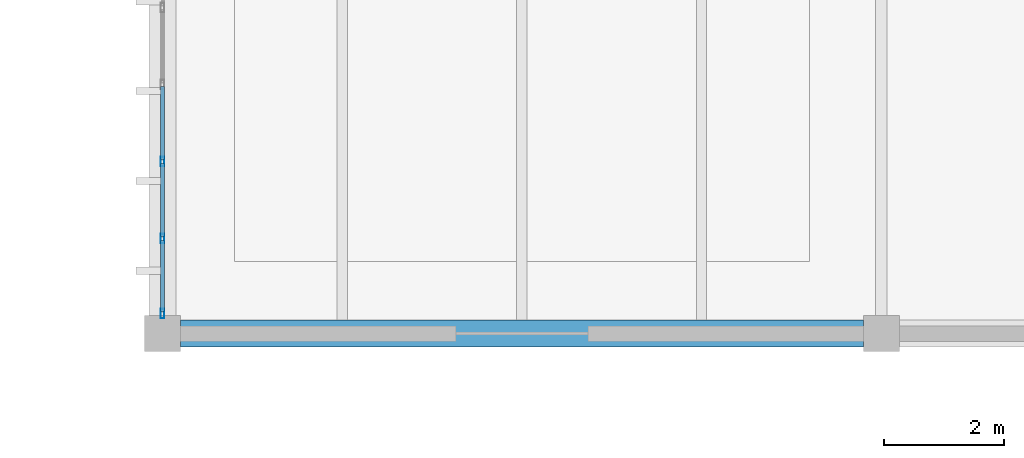
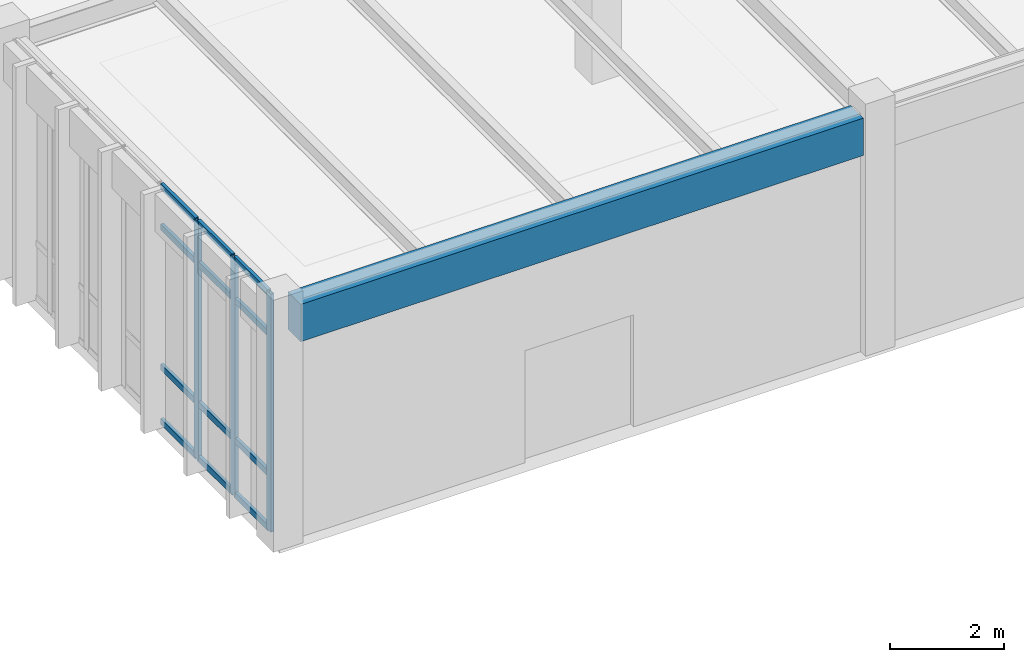
# One storey, part 84 of 188: 15 members, 1 beam, 1 element without a shape of its own.
"""IFC4 building model written with IfcOpenShell, lengths in metres."""

import ifcopenshell
import ifcopenshell.guid

model = None  # the IFC model being written
_history = None  # IfcOwnerHistory: only IFC2X3 demands one
_inside = {}  # id of a spatial element -> (the spatial element, [elements in it])
_under = {}  # id of a project, library or spatial element -> (it, [spatial elements below it])
_declared = {}  # id of a project -> (the project, [libraries it declares])
_typed = {}  # id of a type object -> (the type object, [elements of that type])
_made_of = {}  # id of a material, layer set ... -> (it, [elements and type objects made of it])


def new_model(schema):
    """Start an empty IFC model of exactly this schema.

    Asked for "IFC4X3", IfcOpenShell would pick the latest addendum, in which some entities
    have other attributes; the version numbers below select the first issue.
    IFC2X3 requires an IfcOwnerHistory on every rooted entity: one is made here for all.
    """
    global model, _history
    if schema == "IFC4X3":
        model = ifcopenshell.file(schema_version=(4, 3, 0, 0))
    else:
        model = ifcopenshell.file(schema=schema)
    _inside.clear()
    _under.clear()
    _declared.clear()
    _typed.clear()
    _made_of.clear()
    _history = None
    if model.schema == "IFC2X3":
        org = make("IfcOrganization", Name="unknown")
        user = make(
            "IfcPersonAndOrganization",
            ThePerson=make("IfcPerson", FamilyName="unknown"),
            TheOrganization=org,
        )
        app = make(
            "IfcApplication",
            ApplicationDeveloper=org,
            Version="unknown",
            ApplicationFullName="unknown",
            ApplicationIdentifier="unknown",
        )
        _history = make(
            "IfcOwnerHistory",
            OwningUser=user,
            OwningApplication=app,
            ChangeAction="ADDED",
            CreationDate=0,
        )
    return model


def make(cls, **values):
    """One entity of the class cls with the attributes given. An attribute that is None is left unset."""
    return model.create_entity(
        cls, **{name: value for name, value in values.items() if value is not None}
    )


def rooted(cls, **values):
    """An entity with a GlobalId (a new one), such as an element, a storey or a relation."""
    return make(cls, GlobalId=ifcopenshell.guid.new(), OwnerHistory=_history, **values)


def si_unit(unit_type, name, prefix=None):
    """IfcSIUnit, for example si_unit("LENGTHUNIT", "METRE", prefix="MILLI")."""
    return make("IfcSIUnit", UnitType=unit_type, Prefix=prefix, Name=name)


def assignment(units):
    """IfcUnitAssignment: the units of a project."""
    return None if units is None else make("IfcUnitAssignment", Units=units)


def point(xyz):
    """IfcCartesianPoint."""
    return None if xyz is None else make("IfcCartesianPoint", Coordinates=xyz)


def direction(xyz):
    """IfcDirection."""
    return None if xyz is None else make("IfcDirection", DirectionRatios=xyz)


def frame(location, z_axis=None, x_axis=None):
    """IfcAxis2Placement3D, a coordinate frame: its origin and axes. An axis left out is left unset."""
    return make(
        "IfcAxis2Placement3D",
        Location=point(location),
        Axis=direction(z_axis),
        RefDirection=direction(x_axis),
    )


def frame_2d(location, x_axis=None):
    """IfcAxis2Placement2D, a coordinate frame in the plane: its origin and x axis."""
    return make(
        "IfcAxis2Placement2D", Location=point(location), RefDirection=direction(x_axis)
    )


def origin():
    """The frame at (0, 0, 0) with its axes left unset."""
    return frame((0.0, 0.0, 0.0))


def origin_2d():
    """The frame at (0, 0) in the plane with its x axis left unset."""
    return frame_2d((0.0, 0.0))


def place(relative_to, where):
    """IfcLocalPlacement: puts the frame where relative to a parent placement (None: the world)."""
    return make(
        "IfcLocalPlacement", PlacementRelTo=relative_to, RelativePlacement=where
    )


def context(
    kind, dimensions, precision=None, world=None, true_north=None, identifier=None
):
    """IfcGeometricRepresentationContext, for example the 3D "Model" context."""
    return make(
        "IfcGeometricRepresentationContext",
        ContextIdentifier=identifier,
        ContextType=kind,
        CoordinateSpaceDimension=dimensions,
        Precision=precision,
        WorldCoordinateSystem=world,
        TrueNorth=true_north,
    )


def subcontext(parent, identifier, kind, view, scale=None):
    """IfcGeometricRepresentationSubContext, for example "Body" below "Model"."""
    return make(
        "IfcGeometricRepresentationSubContext",
        ContextIdentifier=identifier,
        ContextType=kind,
        ParentContext=parent,
        TargetScale=scale,
        TargetView=view,
    )


def project(units=None, contexts=None):
    """IfcProject with its units and contexts."""
    return rooted(
        "IfcProject",
        Name="project",
        RepresentationContexts=contexts,
        UnitsInContext=assignment(units),
    )


def spatial(cls, under=None, at=None, **own):
    """A site, building, storey or space (cls), placed at a placement, below another one or the project."""
    s = rooted(cls, ObjectPlacement=at, **own)
    if under is not None:
        _under.setdefault(under.id(), (under, []))[1].append(s)
    return s


def profile(cls, at=None, kind="AREA", **sizes):
    """A parametric profile (cls). Its sizes go by their IFC names, for example OverallWidth=200.0."""
    return make(cls, ProfileType=kind, Position=at, **sizes)


def rectangle(**sizes):
    """IfcRectangleProfileDef."""
    return profile("IfcRectangleProfileDef", **sizes)


def hollow_rectangle(**sizes):
    """IfcRectangleHollowProfileDef."""
    return profile("IfcRectangleHollowProfileDef", **sizes)


def extrude(swept, where, along, depth):
    """IfcExtrudedAreaSolid: the profile swept, set in the frame where, extruded along a direction by depth."""
    return make(
        "IfcExtrudedAreaSolid",
        SweptArea=swept,
        Position=where,
        ExtrudedDirection=direction(along),
        Depth=depth,
    )


def shape(context_of_items, identifier, shape_type, items):
    """IfcShapeRepresentation: the items that make up one representation, for example the "Body"."""
    return make(
        "IfcShapeRepresentation",
        ContextOfItems=context_of_items,
        RepresentationIdentifier=identifier,
        RepresentationType=shape_type,
        Items=items,
    )


def material(Name=None, Category=None):
    """IfcMaterial."""
    return make("IfcMaterial", Name=Name, Category=Category)


def layer(
    of_material, thickness, ventilated=None, Name=None, Category=None, Priority=None
):
    """IfcMaterialLayer: one layer of a wall or slab, of a material (None: an air gap)."""
    return make(
        "IfcMaterialLayer",
        Material=of_material,
        LayerThickness=thickness,
        IsVentilated=ventilated,
        Name=Name,
        Category=Category,
        Priority=Priority,
    )


def layer_set(layers, Name=None):
    """IfcMaterialLayerSet."""
    return make("IfcMaterialLayerSet", MaterialLayers=layers, LayerSetName=Name)


def material_profile(
    of_material, cross_section, Name=None, Category=None, Priority=None
):
    """IfcMaterialProfile: a cross section and its material."""
    return make(
        "IfcMaterialProfile",
        Name=Name,
        Material=of_material,
        Profile=cross_section,
        Priority=Priority,
        Category=Category,
    )


def profile_set(profiles, Name=None, composite=None):
    """IfcMaterialProfileSet."""
    return make(
        "IfcMaterialProfileSet",
        Name=Name,
        MaterialProfiles=profiles,
        CompositeProfile=composite,
    )


def made_of(thing, what):
    """Note that an element or type object is made of a material, layer set ...; save() writes the relation."""
    if what is not None:
        _made_of.setdefault(what.id(), (what, []))[1].append(thing)
    return thing


def type_object(cls, material=None, **own):
    """A type object (cls), such as IfcWallType, which elements share."""
    return made_of(rooted(cls, **own), material)


def element(
    cls,
    number,
    at=None,
    inside=None,
    cuts=None,
    type_object=None,
    material=None,
    context=None,
    identifier="Body",
    shape_type=None,
    held_by="IfcProductDefinitionShape",
    body=None,
    shapes=None,
    **own,
):
    """One element of the class cls, such as IfcWall. Its Tag is "e" and its number.

    at: its placement. inside: the storey or other place that contains it. cuts: it is an
    opening in that element (IfcRelVoidsElement). A single representation is given by context,
    identifier, shape_type and body (its items); several are given by shapes. held_by: the class
    of the entity that holds the representations. save() writes the other relations.
    """
    e = rooted(cls, Tag="e%d" % number, ObjectPlacement=at, **own)
    if body is not None:
        shapes = [shape(context, identifier, shape_type, body)]
    if shapes is not None:
        e.Representation = make(held_by, Representations=shapes)
    if inside is not None:
        _inside.setdefault(inside.id(), (inside, []))[1].append(e)
    if cuts is not None:
        rooted(
            "IfcRelVoidsElement", RelatingBuildingElement=cuts, RelatedOpeningElement=e
        )
    if type_object is not None:
        _typed.setdefault(type_object.id(), (type_object, []))[1].append(e)
    return made_of(e, material)


def aggregate(whole, parts):
    """IfcRelAggregates: a whole, such as a stair, and the parts it consists of."""
    return rooted("IfcRelAggregates", RelatingObject=whole, RelatedObjects=parts)


def save(model, path):
    """Write the relations noted so far, then the file.

    IfcRelAggregates (storeys below a building ...), IfcRelContainedInSpatialStructure (elements
    in a storey), IfcRelDefinesByType, IfcRelAssociatesMaterial and IfcRelDeclares: one each for
    every whole, place, type object, material and project.
    """
    for whole, parts in _under.values():
        aggregate(whole, parts)
    for where, things in _inside.values():
        rooted(
            "IfcRelContainedInSpatialStructure",
            RelatedElements=things,
            RelatingStructure=where,
        )
    for kind, things in _typed.values():
        rooted("IfcRelDefinesByType", RelatedObjects=things, RelatingType=kind)
    for what, things in _made_of.values():
        rooted("IfcRelAssociatesMaterial", RelatedObjects=things, RelatingMaterial=what)
    for by, libraries in _declared.values():
        rooted("IfcRelDeclares", RelatingContext=by, RelatedDefinitions=libraries)
    model.write(path)


model = new_model("IFC4")

# Units and contexts
model_context = context("Model", 3, precision=1e-05, world=origin(), true_north=direction((0.0, 1.0)))
body_context = subcontext(model_context, "Body", "Model", "MODEL_VIEW")
ifc_project = project(units=[si_unit("LENGTHUNIT", "METRE"), si_unit("AREAUNIT", "SQUARE_METRE"), si_unit("VOLUMEUNIT", "CUBIC_METRE"), si_unit("PLANEANGLEUNIT", "RADIAN"), si_unit("MASSUNIT", "GRAM", prefix="KILO")], contexts=[model_context])

# Site, building, storey
site_placement = place(None, origin())
site = spatial("IfcSite", under=ifc_project, at=site_placement, CompositionType="ELEMENT")
building_placement = place(site_placement, origin())
building = spatial("IfcBuilding", under=site, at=building_placement, Name="Pandanus Reach Market Hall", CompositionType="ELEMENT")
storey_placement = place(building_placement, origin())
storey = spatial("IfcBuildingStorey", under=building, at=storey_placement, Name="L00", CompositionType="ELEMENT", Elevation=0.0)

# Beam
ifc_material_1 = material(Name="Concrete N40 (40 MPa)", Category="concrete")
ifc_material_profile_1 = material_profile(ifc_material_1, rectangle(XDim=0.449951171875, YDim=0.800048828125, at=origin_2d()), Name="RC450x800", Category="LoadBearing")
ifc_profile_set_1 = profile_set([ifc_material_profile_1], Name="Concrete N40 (40 MPa)")
beam_type = type_object("IfcBeamType", Name="BM-RC450-E", PredefinedType="SPANDREL", material=ifc_profile_set_1)
beam_placement = place(storey_placement, frame((144.298095703125, 0.0, 4.659912109375), z_axis=(1.0, 0.0, 0.0), x_axis=(0.0, 1.0, 0.0)))
element("IfcBeam", 1, at=beam_placement, inside=storey, type_object=beam_type, Name="Framing beam BM-RC450-E L00.155", PredefinedType="SPANDREL", context=body_context, shape_type="SweptSolid", body=[
    extrude(rectangle(XDim=0.449951171875, YDim=0.800048828125, at=origin_2d()), origin(), (0.0, 0.0, 1.0), 11.40380859375),
])

# Curtain wall, members
ifc_material_2 = material(Name="Bronze anodised aluminium and low-E glass", Category="aluminium")
ifc_layer = layer(ifc_material_2, 0.159912109375, Name="CW-26")
ifc_layer_set = layer_set([ifc_layer], Name="Bronze anodised aluminium and low-E glass")
curtain_wall_type = type_object("IfcCurtainWallType", Name="CW-26", PredefinedType="NOTDEFINED", material=ifc_layer_set)
curtain_wall_placement = place(storey_placement, origin())
curtain_wall = element("IfcCurtainWall", 2, at=curtain_wall_placement, inside=storey, type_object=curtain_wall_type, Name="Glazed curtain wall CW-26 CW-0075", PredefinedType="NOTDEFINED")
ifc_material_3 = material(Name="Bronze anodised aluminium", Category="aluminium")
ifc_material_profile_2 = material_profile(ifc_material_3, hollow_rectangle(XDim=0.06494140625, YDim=0.159912109375, WallThickness=0.00390625, at=origin_2d()), Name="ALU65x160", Category="LoadBearing")
ifc_profile_set_2 = profile_set([ifc_material_profile_2], Name="Bronze anodised aluminium")
member_type_1 = type_object("IfcMemberType", Name="CW-M1", PredefinedType="MULLION", material=ifc_profile_set_2)
member_1_placement = place(storey_placement, frame((144.0, 0.33251953125, 0.0), z_axis=(0.0, 0.0, 1.0), x_axis=(-1.0, 0.0, 0.0)))
member_1 = element("IfcMember", 3, at=member_1_placement, type_object=member_type_1, Name="CW-26 mullion 1", PredefinedType="MULLION", context=body_context, shape_type="SweptSolid", body=[
    extrude(hollow_rectangle(XDim=0.06494140625, YDim=0.159912109375, WallThickness=0.00390625, at=origin_2d()), origin(), (0.0, 0.0, 1.0), 5.10009765625),
])
member_2_placement = place(storey_placement, frame((144.0, 1.585693359375, 0.0), z_axis=(0.0, 0.0, 1.0), x_axis=(-1.0, 0.0, 0.0)))
member_2 = element("IfcMember", 4, at=member_2_placement, type_object=member_type_1, Name="CW-26 mullion 2", PredefinedType="MULLION", context=body_context, shape_type="SweptSolid", body=[
    extrude(hollow_rectangle(XDim=0.06494140625, YDim=0.159912109375, WallThickness=0.00390625, at=origin_2d()), origin(), (0.0, 0.0, 1.0), 5.10009765625),
])
member_3_placement = place(storey_placement, frame((144.0, 2.871337890625, 0.0), z_axis=(0.0, 0.0, 1.0), x_axis=(-1.0, 0.0, 0.0)))
member_3 = element("IfcMember", 5, at=member_3_placement, type_object=member_type_1, Name="CW-26 mullion 3", PredefinedType="MULLION", context=body_context, shape_type="SweptSolid", body=[
    extrude(hollow_rectangle(XDim=0.06494140625, YDim=0.159912109375, WallThickness=0.00390625, at=origin_2d()), origin(), (0.0, 0.0, 1.0), 5.10009765625),
])
ifc_material_profile_3 = material_profile(ifc_material_3, hollow_rectangle(XDim=0.06494140625, YDim=0.1298828125, WallThickness=0.00390625, at=origin_2d()), Name="ALU65x130", Category="LoadBearing")
ifc_profile_set_3 = profile_set([ifc_material_profile_3], Name="Bronze anodised aluminium")
member_type_2 = type_object("IfcMemberType", Name="CW-T1", PredefinedType="USERDEFINED", material=ifc_profile_set_3)
member_4_placement = place(storey_placement, frame((144.0, 0.364990234375, 0.032470703125), z_axis=(0.0, 1.0, 0.0), x_axis=(-1.0, 0.0, 0.0)))
member_4 = element("IfcMember", 6, at=member_4_placement, type_object=member_type_2, Name="CW-26 transom 1.1", ObjectType="TRANSOM", PredefinedType="USERDEFINED", context=body_context, shape_type="SweptSolid", body=[
    extrude(hollow_rectangle(XDim=0.06494140625, YDim=0.1298828125, WallThickness=0.00390625, at=origin_2d()), origin(), (0.0, 0.0, 1.0), 1.188232421875),
])
member_5_placement = place(storey_placement, frame((144.0, 0.364990234375, 1.199951171875), z_axis=(0.0, 1.0, 0.0), x_axis=(-1.0, 0.0, 0.0)))
member_5 = element("IfcMember", 7, at=member_5_placement, type_object=member_type_2, Name="CW-26 transom 1.2", ObjectType="TRANSOM", PredefinedType="USERDEFINED", context=body_context, shape_type="SweptSolid", body=[
    extrude(hollow_rectangle(XDim=0.06494140625, YDim=0.1298828125, WallThickness=0.00390625, at=origin_2d()), origin(), (0.0, 0.0, 1.0), 1.188232421875),
])
member_6_placement = place(storey_placement, frame((144.0, 0.364990234375, 4.199951171875), z_axis=(0.0, 1.0, 0.0), x_axis=(-1.0, 0.0, 0.0)))
member_6 = element("IfcMember", 8, at=member_6_placement, type_object=member_type_2, Name="CW-26 transom 1.3", ObjectType="TRANSOM", PredefinedType="USERDEFINED", context=body_context, shape_type="SweptSolid", body=[
    extrude(hollow_rectangle(XDim=0.06494140625, YDim=0.1298828125, WallThickness=0.00390625, at=origin_2d()), origin(), (0.0, 0.0, 1.0), 1.188232421875),
])
member_7_placement = place(storey_placement, frame((144.0, 0.364990234375, 5.0673828125), z_axis=(0.0, 1.0, 0.0), x_axis=(-1.0, 0.0, 0.0)))
member_7 = element("IfcMember", 9, at=member_7_placement, type_object=member_type_2, Name="CW-26 transom 1.4", ObjectType="TRANSOM", PredefinedType="USERDEFINED", context=body_context, shape_type="SweptSolid", body=[
    extrude(hollow_rectangle(XDim=0.06494140625, YDim=0.1298828125, WallThickness=0.00390625, at=origin_2d()), origin(), (0.0, 0.0, 1.0), 1.188232421875),
])
member_8_placement = place(storey_placement, frame((144.0, 1.6181640625, 0.032470703125), z_axis=(0.0, 1.0, 0.0), x_axis=(-1.0, 0.0, 0.0)))
member_8 = element("IfcMember", 10, at=member_8_placement, type_object=member_type_2, Name="CW-26 transom 2.1", ObjectType="TRANSOM", PredefinedType="USERDEFINED", context=body_context, shape_type="SweptSolid", body=[
    extrude(hollow_rectangle(XDim=0.06494140625, YDim=0.1298828125, WallThickness=0.00390625, at=origin_2d()), origin(), (0.0, 0.0, 1.0), 1.220703125),
])
member_9_placement = place(storey_placement, frame((144.0, 1.6181640625, 1.199951171875), z_axis=(0.0, 1.0, 0.0), x_axis=(-1.0, 0.0, 0.0)))
member_9 = element("IfcMember", 11, at=member_9_placement, type_object=member_type_2, Name="CW-26 transom 2.2", ObjectType="TRANSOM", PredefinedType="USERDEFINED", context=body_context, shape_type="SweptSolid", body=[
    extrude(hollow_rectangle(XDim=0.06494140625, YDim=0.1298828125, WallThickness=0.00390625, at=origin_2d()), origin(), (0.0, 0.0, 1.0), 1.220703125),
])
member_10_placement = place(storey_placement, frame((144.0, 1.6181640625, 4.199951171875), z_axis=(0.0, 1.0, 0.0), x_axis=(-1.0, 0.0, 0.0)))
member_10 = element("IfcMember", 12, at=member_10_placement, type_object=member_type_2, Name="CW-26 transom 2.3", ObjectType="TRANSOM", PredefinedType="USERDEFINED", context=body_context, shape_type="SweptSolid", body=[
    extrude(hollow_rectangle(XDim=0.06494140625, YDim=0.1298828125, WallThickness=0.00390625, at=origin_2d()), origin(), (0.0, 0.0, 1.0), 1.220703125),
])
member_11_placement = place(storey_placement, frame((144.0, 1.6181640625, 5.0673828125), z_axis=(0.0, 1.0, 0.0), x_axis=(-1.0, 0.0, 0.0)))
member_11 = element("IfcMember", 13, at=member_11_placement, type_object=member_type_2, Name="CW-26 transom 2.4", ObjectType="TRANSOM", PredefinedType="USERDEFINED", context=body_context, shape_type="SweptSolid", body=[
    extrude(hollow_rectangle(XDim=0.06494140625, YDim=0.1298828125, WallThickness=0.00390625, at=origin_2d()), origin(), (0.0, 0.0, 1.0), 1.220703125),
])
member_12_placement = place(storey_placement, frame((144.0, 2.90380859375, 0.032470703125), z_axis=(0.0, 1.0, 0.0), x_axis=(-1.0, 0.0, 0.0)))
member_12 = element("IfcMember", 14, at=member_12_placement, type_object=member_type_2, Name="CW-26 transom 3.1", ObjectType="TRANSOM", PredefinedType="USERDEFINED", context=body_context, shape_type="SweptSolid", body=[
    extrude(hollow_rectangle(XDim=0.06494140625, YDim=0.1298828125, WallThickness=0.00390625, at=origin_2d()), origin(), (0.0, 0.0, 1.0), 1.220947265625),
])
member_13_placement = place(storey_placement, frame((144.0, 2.90380859375, 1.199951171875), z_axis=(0.0, 1.0, 0.0), x_axis=(-1.0, 0.0, 0.0)))
member_13 = element("IfcMember", 15, at=member_13_placement, type_object=member_type_2, Name="CW-26 transom 3.2", ObjectType="TRANSOM", PredefinedType="USERDEFINED", context=body_context, shape_type="SweptSolid", body=[
    extrude(hollow_rectangle(XDim=0.06494140625, YDim=0.1298828125, WallThickness=0.00390625, at=origin_2d()), origin(), (0.0, 0.0, 1.0), 1.220947265625),
])
member_14_placement = place(storey_placement, frame((144.0, 2.90380859375, 4.199951171875), z_axis=(0.0, 1.0, 0.0), x_axis=(-1.0, 0.0, 0.0)))
member_14 = element("IfcMember", 16, at=member_14_placement, type_object=member_type_2, Name="CW-26 transom 3.3", ObjectType="TRANSOM", PredefinedType="USERDEFINED", context=body_context, shape_type="SweptSolid", body=[
    extrude(hollow_rectangle(XDim=0.06494140625, YDim=0.1298828125, WallThickness=0.00390625, at=origin_2d()), origin(), (0.0, 0.0, 1.0), 1.220947265625),
])
member_15_placement = place(storey_placement, frame((144.0, 2.90380859375, 5.0673828125), z_axis=(0.0, 1.0, 0.0), x_axis=(-1.0, 0.0, 0.0)))
member_15 = element("IfcMember", 17, at=member_15_placement, type_object=member_type_2, Name="CW-26 transom 3.4", ObjectType="TRANSOM", PredefinedType="USERDEFINED", context=body_context, shape_type="SweptSolid", body=[
    extrude(hollow_rectangle(XDim=0.06494140625, YDim=0.1298828125, WallThickness=0.00390625, at=origin_2d()), origin(), (0.0, 0.0, 1.0), 1.220947265625),
])
aggregate(curtain_wall, [member_1, member_2, member_3, member_4, member_5, member_6, member_7, member_8, member_9, member_10, member_11, member_12, member_13, member_14, member_15])

save(model, "model.ifc")
